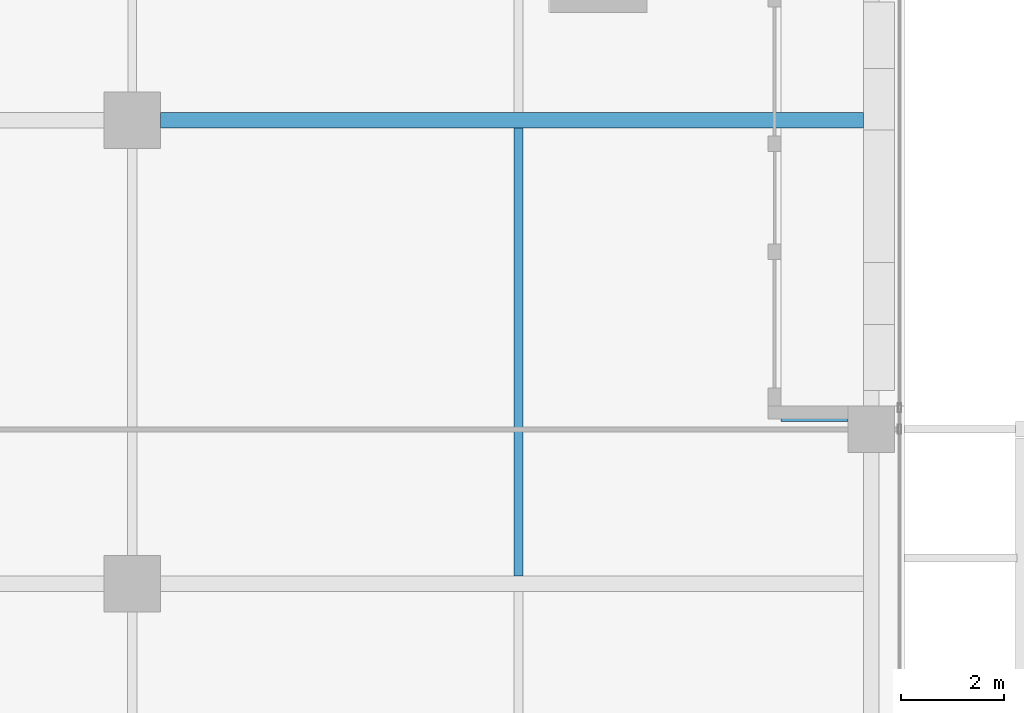
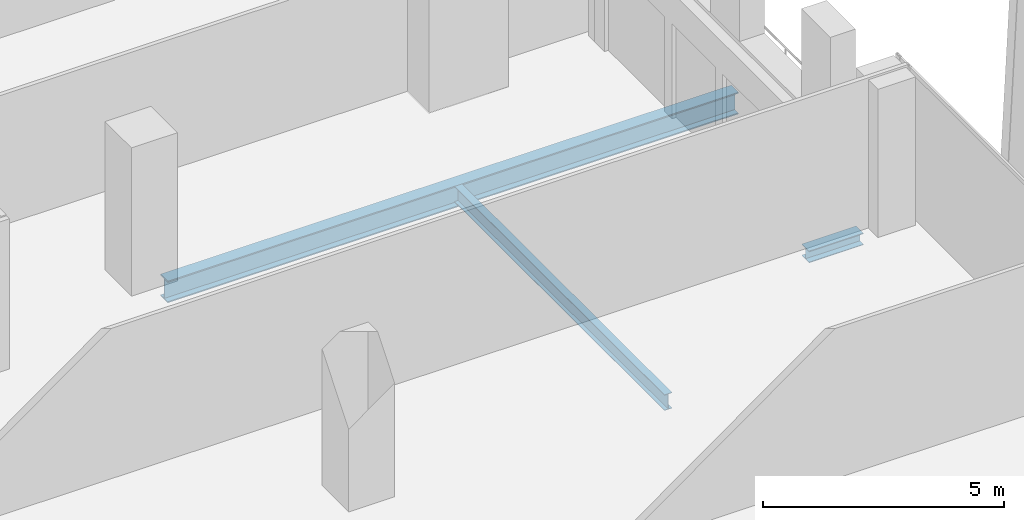
# One storey, part 18 of 35: 3 beams.
"""IFC4 building model written with IfcOpenShell, lengths in metres."""

from ifc_helpers import new_model, si_unit, direction, frame, origin, origin_2d, place, context, subcontext, project, spatial, i_section, extrude, source, transform, mapped, material, material_profile, profile_set, type_object, element, save


model = new_model("IFC4")

# Units and contexts
model_context = context("Model", 3, precision=1e-05, world=origin(), true_north=direction((0.0, 1.0)))
body_context = subcontext(model_context, "Body", "Model", "MODEL_VIEW")
ifc_project = project(units=[si_unit("LENGTHUNIT", "METRE"), si_unit("AREAUNIT", "SQUARE_METRE"), si_unit("VOLUMEUNIT", "CUBIC_METRE"), si_unit("PLANEANGLEUNIT", "RADIAN"), si_unit("MASSUNIT", "GRAM", prefix="KILO")], contexts=[model_context])

# Site, building, storey
site_placement = place(None, origin())
site = spatial("IfcSite", under=ifc_project, at=site_placement, CompositionType="ELEMENT")
building_placement = place(site_placement, origin())
building = spatial("IfcBuilding", under=site, at=building_placement, Name="Khomas Fold Tower", CompositionType="ELEMENT")
storey_placement = place(building_placement, frame((0.0, 0.0, 246.199951171875)))
storey = spatial("IfcBuildingStorey", under=building, at=storey_placement, Name="L55", CompositionType="ELEMENT", Elevation=246.199951171875)

# Beams
ifc_material_1 = material(Name="Steel S355", Category="steel")
ifc_material_profile_1 = material_profile(ifc_material_1, i_section(OverallWidth=0.179931640625, OverallDepth=0.39990234375, WebThickness=0.008544921875, FlangeThickness=0.013427734375, at=origin_2d()), Name="IPE 400")
ifc_profile_set_1 = profile_set([ifc_material_profile_1], Name="Steel S355")
beam_type_1 = type_object("IfcBeamType", Name="IPE 400 beam JB3", PredefinedType="BEAM", material=ifc_profile_set_1)
shared_shape_1 = source(origin(), body_context, "Body", "SweptSolid", [
    extrude(i_section(OverallWidth=0.179931640625, OverallDepth=0.39990234375, WebThickness=0.008544921875, FlangeThickness=0.013427734375, at=origin_2d()), origin(), (0.0, 0.0, 1.0), 8.7001953125),
])
beam_1_placement = place(storey_placement, frame((42.0, 31.64990234375, -0.449951171875), z_axis=(0.0, 1.0, 0.0), x_axis=(-1.0, 0.0, 0.0)))
element("IfcBeam", 1, at=beam_1_placement, inside=storey, type_object=beam_type_1, Name="JB3", PredefinedType="BEAM", context=body_context, shape_type="MappedRepresentation", body=[
    mapped(shared_shape_1, transform((0.0, 0.0, 0.0))),
])
ifc_material_2 = material(Name="Steel S355", Category="steel")
ifc_material_profile_2 = material_profile(ifc_material_2, i_section(OverallWidth=0.300048828125, OverallDepth=0.550048828125, WebThickness=0.014892578125, FlangeThickness=0.029052734375, at=origin_2d()), Name="HE 550 B")
ifc_profile_set_2 = profile_set([ifc_material_profile_2], Name="Steel S355")
beam_type_2 = type_object("IfcBeamType", Name="HE 550 B beam GB4", PredefinedType="BEAM", material=ifc_profile_set_2)
shared_shape_2 = source(origin(), body_context, "Body", "SweptSolid", [
    extrude(i_section(OverallWidth=0.300048828125, OverallDepth=0.550048828125, WebThickness=0.014892578125, FlangeThickness=0.029052734375, at=origin_2d()), origin(), (0.0, 0.0, 1.0), 13.64990234375),
])
beam_2_placement = place(storey_placement, frame((35.050048828125, 40.5, -0.52490234375), z_axis=(1.0, 0.0, 0.0), x_axis=(0.0, 1.0, 0.0)))
element("IfcBeam", 2, at=beam_2_placement, inside=storey, type_object=beam_type_2, Name="GB4", PredefinedType="BEAM", context=body_context, shape_type="MappedRepresentation", body=[
    mapped(shared_shape_2, transform((0.0, 0.0, 0.0))),
])
ifc_material_3 = material(Name="Steel S355", Category="steel")
ifc_material_profile_3 = material_profile(ifc_material_3, i_section(OverallWidth=0.300048828125, OverallDepth=0.300048828125, WebThickness=0.010986328125, FlangeThickness=0.01904296875, at=origin_2d()), Name="HE 300 B")
ifc_profile_set_3 = profile_set([ifc_material_profile_3], Name="Steel S355")
beam_type_3 = type_object("IfcBeamType", Name="HE 300 B beam BB1", PredefinedType="BEAM", material=ifc_profile_set_3)
shared_shape_3 = source(origin(), body_context, "Body", "SweptSolid", [
    extrude(i_section(OverallWidth=0.300048828125, OverallDepth=0.300048828125, WebThickness=0.010986328125, FlangeThickness=0.01904296875, at=origin_2d()), origin(), (0.0, 0.0, 1.0), 1.2998046875),
])
beam_3_placement = place(storey_placement, frame((47.10009765625, 34.800048828125, -0.39990234375), z_axis=(1.0, 0.0, 0.0), x_axis=(0.0, 1.0, 0.0)))
element("IfcBeam", 3, at=beam_3_placement, inside=storey, type_object=beam_type_3, Name="BB1", PredefinedType="BEAM", context=body_context, shape_type="MappedRepresentation", body=[
    mapped(shared_shape_3, transform((0.0, 0.0, 0.0))),
])

save(model, "model.ifc")
